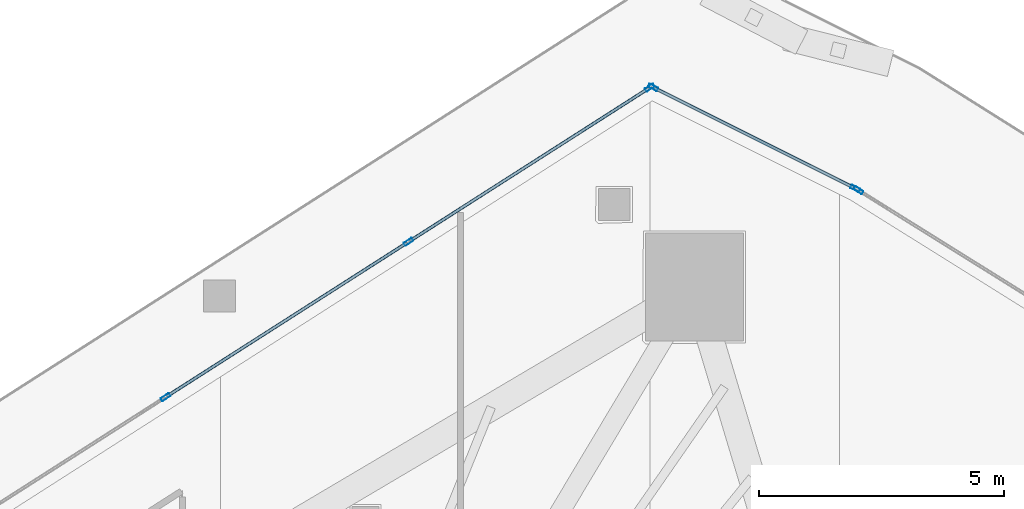
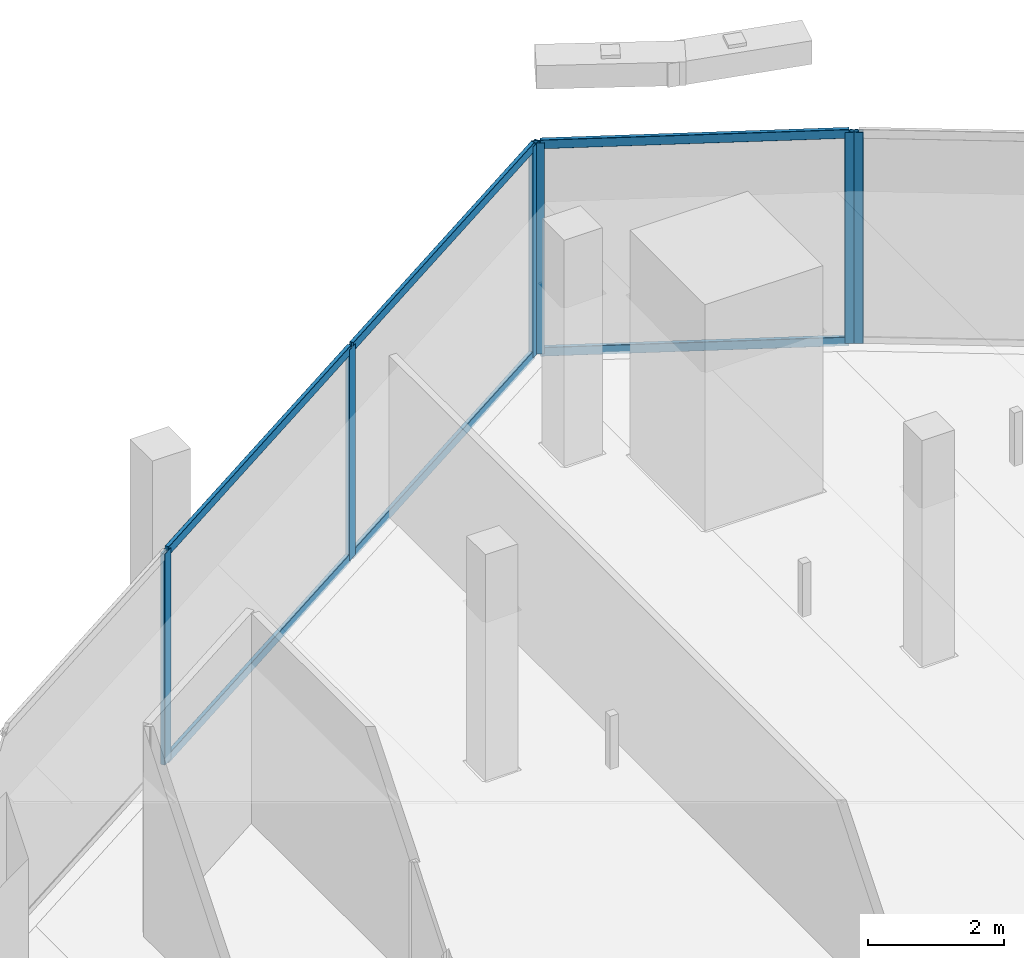
# One storey, part 21 of 38: 12 members, 3 elements without a shape of their own.
"""IFC4 building model written with IfcOpenShell, lengths in metres."""

from ifc_helpers import new_model, si_unit, direction, frame, origin, origin_2d, place, context, subcontext, project, spatial, hollow_rectangle, extrude, material, layer, layer_set, material_profile, profile_set, type_object, element, aggregate, save


model = new_model("IFC4")

# Units and contexts
model_context = context("Model", 3, precision=1e-05, world=origin(), true_north=direction((0.0, 1.0)))
body_context = subcontext(model_context, "Body", "Model", "MODEL_VIEW")
ifc_project = project(units=[si_unit("LENGTHUNIT", "METRE"), si_unit("AREAUNIT", "SQUARE_METRE"), si_unit("VOLUMEUNIT", "CUBIC_METRE"), si_unit("PLANEANGLEUNIT", "RADIAN"), si_unit("MASSUNIT", "GRAM", prefix="KILO")], contexts=[model_context])

# Site, building, storey
site_placement = place(None, origin())
site = spatial("IfcSite", under=ifc_project, at=site_placement, CompositionType="ELEMENT")
building_placement = place(site_placement, origin())
building = spatial("IfcBuilding", under=site, at=building_placement, Name="Qorvath Tower", CompositionType="ELEMENT")
storey_placement = place(building_placement, frame((0.0, 0.0, 158.39990234375)))
storey = spatial("IfcBuildingStorey", under=building, at=storey_placement, Name="L36", CompositionType="ELEMENT", Elevation=158.39990234375)

# Curtain wall, member
ifc_material_1 = material(Name="Anodised aluminium and triple low-E glass", Category="aluminium")
ifc_layer = layer(ifc_material_1, 0.179931640625)
ifc_layer_set = layer_set([ifc_layer], Name="CW-SYS-5")
curtain_wall_type = type_object("IfcCurtainWallType", Name="CW-SYS-5", PredefinedType="NOTDEFINED", material=ifc_layer_set)
curtain_wall_1_placement = place(storey_placement, origin())
curtain_wall_1 = element("IfcCurtainWall", 1, at=curtain_wall_1_placement, inside=storey, type_object=curtain_wall_type, Name="Curtain Wall CW-5 CW-T-L36-14.1", PredefinedType="NOTDEFINED")
ifc_material_2 = material(Name="Anodised aluminium 6063-T6", Category="aluminium")
ifc_material_profile_1 = material_profile(ifc_material_2, hollow_rectangle(XDim=0.074951171875, YDim=0.199951171875, WallThickness=0.00390625, InnerFilletRadius=0.00390625, OuterFilletRadius=0.008056640625, at=origin_2d()), Name="CWM 200x75")
ifc_profile_set_1 = profile_set([ifc_material_profile_1], Name="Anodised aluminium 6063-T6")
member_type_1 = type_object("IfcMemberType", Name="CWM-200", PredefinedType="MULLION", material=ifc_profile_set_1)
member_1_placement = place(storey_placement, frame((-11.999267578125, 27.2197265625, 0.0), z_axis=(0.0, 0.0, 1.0), x_axis=(-0.52938420478, -0.848382203803, 0.0)))
member_1 = element("IfcMember", 2, at=member_1_placement, type_object=member_type_1, Name="CW-5 mullion 3", PredefinedType="MULLION", context=body_context, shape_type="SweptSolid", body=[
    extrude(hollow_rectangle(XDim=0.074951171875, YDim=0.199951171875, WallThickness=0.00390625, InnerFilletRadius=0.00390625, OuterFilletRadius=0.008056640625, at=origin_2d()), origin(), (0.0, 0.0, 1.0), 3.780029296875),
])
aggregate(curtain_wall_1, [member_1])

# Curtain wall, members
curtain_wall_2_placement = place(storey_placement, origin())
curtain_wall_2 = element("IfcCurtainWall", 3, at=curtain_wall_2_placement, inside=storey, type_object=curtain_wall_type, Name="Curtain Wall CW-5 CW-T-L36-15.1", PredefinedType="NOTDEFINED")
member_2_placement = place(storey_placement, frame((-12.064453125, 27.25634765625, 0.0), z_axis=(0.0, 0.0, 1.0), x_axis=(-0.447187983169, -0.894439996707, 0.0)))
member_2 = element("IfcMember", 4, at=member_2_placement, type_object=member_type_1, Name="CW-5 mullion 1", PredefinedType="MULLION", context=body_context, shape_type="SweptSolid", body=[
    extrude(hollow_rectangle(XDim=0.074951171875, YDim=0.199951171875, WallThickness=0.00390625, InnerFilletRadius=0.00390625, OuterFilletRadius=0.008056640625, at=origin_2d()), origin(), (0.0, 0.0, 1.0), 3.780029296875),
])
member_3_placement = place(storey_placement, frame((-16.188232421875, 29.31787109375, 0.0), z_axis=(0.0, 0.0, 1.0), x_axis=(-0.447187983169, -0.894439996707, 0.0)))
member_3 = element("IfcMember", 5, at=member_3_placement, type_object=member_type_1, Name="CW-5 mullion 2", PredefinedType="MULLION", context=body_context, shape_type="SweptSolid", body=[
    extrude(hollow_rectangle(XDim=0.074951171875, YDim=0.199951171875, WallThickness=0.00390625, InnerFilletRadius=0.00390625, OuterFilletRadius=0.008056640625, at=origin_2d()), origin(), (0.0, 0.0, 1.0), 3.780029296875),
])

curtain_wall_3_placement = place(storey_placement, origin())
curtain_wall_3 = element("IfcCurtainWall", 6, at=curtain_wall_3_placement, inside=storey, type_object=curtain_wall_type, Name="Curtain Wall CW-5 CW-T-L36-16.1", PredefinedType="NOTDEFINED")
member_4_placement = place(storey_placement, frame((-16.25341796875, 29.314453125, 0.0), z_axis=(0.0, 0.0, 1.0), x_axis=(0.53853971351, -0.842600128752, 0.0)))
member_4 = element("IfcMember", 7, at=member_4_placement, type_object=member_type_1, Name="CW-5 mullion 1", PredefinedType="MULLION", context=body_context, shape_type="SweptSolid", body=[
    extrude(hollow_rectangle(XDim=0.074951171875, YDim=0.199951171875, WallThickness=0.00390625, InnerFilletRadius=0.00390625, OuterFilletRadius=0.008056640625, at=origin_2d()), origin(), (0.0, 0.0, 1.0), 3.780029296875),
])
member_5_placement = place(storey_placement, frame((-21.178466796875, 26.16650390625, 0.0), z_axis=(0.0, 0.0, 1.0), x_axis=(0.53853971351, -0.842600128752, 0.0)))
member_5 = element("IfcMember", 8, at=member_5_placement, type_object=member_type_1, Name="CW-5 mullion 2", PredefinedType="MULLION", context=body_context, shape_type="SweptSolid", body=[
    extrude(hollow_rectangle(XDim=0.074951171875, YDim=0.199951171875, WallThickness=0.00390625, InnerFilletRadius=0.00390625, OuterFilletRadius=0.008056640625, at=origin_2d()), origin(), (0.0, 0.0, 1.0), 3.780029296875),
])
member_6_placement = place(storey_placement, frame((-26.135498046875, 22.99853515625, 0.0), z_axis=(0.0, 0.0, 1.0), x_axis=(0.53853971351, -0.842600128752, 0.0)))
member_6 = element("IfcMember", 9, at=member_6_placement, type_object=member_type_1, Name="CW-5 mullion 3", PredefinedType="MULLION", context=body_context, shape_type="SweptSolid", body=[
    extrude(hollow_rectangle(XDim=0.074951171875, YDim=0.199951171875, WallThickness=0.00390625, InnerFilletRadius=0.00390625, OuterFilletRadius=0.008056640625, at=origin_2d()), origin(), (0.0, 0.0, 1.0), 3.780029296875),
])

# Member
ifc_material_3 = material(Name="Anodised aluminium 6063-T6", Category="aluminium")
ifc_material_profile_2 = material_profile(ifc_material_3, hollow_rectangle(XDim=0.06494140625, YDim=0.159912109375, WallThickness=0.00341796875, InnerFilletRadius=0.00341796875, OuterFilletRadius=0.007080078125, at=origin_2d()), Name="CWT 160x65")
ifc_profile_set_2 = profile_set([ifc_material_profile_2], Name="Anodised aluminium 6063-T6")
member_type_2 = type_object("IfcMemberType", Name="CWT-160", PredefinedType="USERDEFINED", material=ifc_profile_set_2)
member_7_placement = place(storey_placement, frame((-12.09814453125, 27.27294921875, 0.032470703125), z_axis=(-0.894416424368, 0.447235128116, 0.0), x_axis=(-0.447235128116, -0.894416424368, 0.0)))
member_7 = element("IfcMember", 10, at=member_7_placement, type_object=member_type_2, Name="CW-5 transom 1.1", ObjectType="TRANSOM", PredefinedType="USERDEFINED", context=body_context, shape_type="SweptSolid", body=[
    extrude(hollow_rectangle(XDim=0.06494140625, YDim=0.159912109375, WallThickness=0.00341796875, InnerFilletRadius=0.00341796875, OuterFilletRadius=0.007080078125, at=origin_2d()), origin(), (0.0, 0.0, 1.0), 4.53515625),
])

member_8_placement = place(storey_placement, frame((-12.09814453125, 27.27294921875, 3.74755859375), z_axis=(-0.894416424368, 0.447235128116, 0.0), x_axis=(-0.447235128116, -0.894416424368, 0.0)))
member_8 = element("IfcMember", 11, at=member_8_placement, type_object=member_type_2, Name="CW-5 transom 1.2", ObjectType="TRANSOM", PredefinedType="USERDEFINED", context=body_context, shape_type="SweptSolid", body=[
    extrude(hollow_rectangle(XDim=0.06494140625, YDim=0.159912109375, WallThickness=0.00341796875, InnerFilletRadius=0.00341796875, OuterFilletRadius=0.007080078125, at=origin_2d()), origin(), (0.0, 0.0, 1.0), 4.53515625),
])

aggregate(curtain_wall_2, [member_2, member_3, member_7, member_8])

member_9_placement = place(storey_placement, frame((-16.284912109375, 29.294189453125, 0.032470703125), z_axis=(-0.842609333072, -0.538525312144, 0.0), x_axis=(0.538525312144, -0.842609333072, 0.0)))
member_9 = element("IfcMember", 12, at=member_9_placement, type_object=member_type_2, Name="CW-5 transom 1.1", ObjectType="TRANSOM", PredefinedType="USERDEFINED", context=body_context, shape_type="SweptSolid", body=[
    extrude(hollow_rectangle(XDim=0.06494140625, YDim=0.159912109375, WallThickness=0.00341796875, InnerFilletRadius=0.00341796875, OuterFilletRadius=0.007080078125, at=origin_2d()), origin(), (0.0, 0.0, 1.0), 5.770263671875),
])

member_10_placement = place(storey_placement, frame((-16.284912109375, 29.294189453125, 3.74755859375), z_axis=(-0.842609333072, -0.538525312144, 0.0), x_axis=(0.538525312144, -0.842609333072, 0.0)))
member_10 = element("IfcMember", 13, at=member_10_placement, type_object=member_type_2, Name="CW-5 transom 1.2", ObjectType="TRANSOM", PredefinedType="USERDEFINED", context=body_context, shape_type="SweptSolid", body=[
    extrude(hollow_rectangle(XDim=0.06494140625, YDim=0.159912109375, WallThickness=0.00341796875, InnerFilletRadius=0.00341796875, OuterFilletRadius=0.007080078125, at=origin_2d()), origin(), (0.0, 0.0, 1.0), 5.770263671875),
])

member_11_placement = place(storey_placement, frame((-21.210205078125, 26.146484375, 0.032470703125), z_axis=(-0.84257968954, -0.538571691398, 0.0), x_axis=(0.538571691398, -0.84257968954, 0.0)))
member_11 = element("IfcMember", 14, at=member_11_placement, type_object=member_type_2, Name="CW-5 transom 2.1", ObjectType="TRANSOM", PredefinedType="USERDEFINED", context=body_context, shape_type="SweptSolid", body=[
    extrude(hollow_rectangle(XDim=0.06494140625, YDim=0.159912109375, WallThickness=0.00341796875, InnerFilletRadius=0.00341796875, OuterFilletRadius=0.007080078125, at=origin_2d()), origin(), (0.0, 0.0, 1.0), 5.807861328125),
])

member_12_placement = place(storey_placement, frame((-21.210205078125, 26.146484375, 3.74755859375), z_axis=(-0.84257968954, -0.538571691398, 0.0), x_axis=(0.538571691398, -0.84257968954, 0.0)))
member_12 = element("IfcMember", 15, at=member_12_placement, type_object=member_type_2, Name="CW-5 transom 2.2", ObjectType="TRANSOM", PredefinedType="USERDEFINED", context=body_context, shape_type="SweptSolid", body=[
    extrude(hollow_rectangle(XDim=0.06494140625, YDim=0.159912109375, WallThickness=0.00341796875, InnerFilletRadius=0.00341796875, OuterFilletRadius=0.007080078125, at=origin_2d()), origin(), (0.0, 0.0, 1.0), 5.807861328125),
])

aggregate(curtain_wall_3, [member_4, member_5, member_6, member_9, member_10, member_11, member_12])

save(model, "model.ifc")
